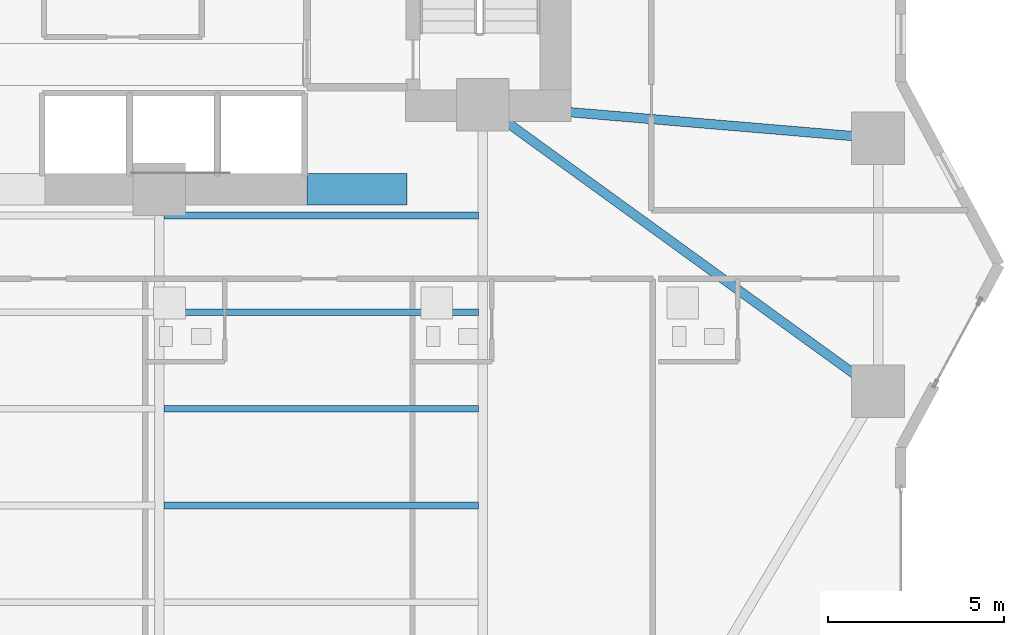
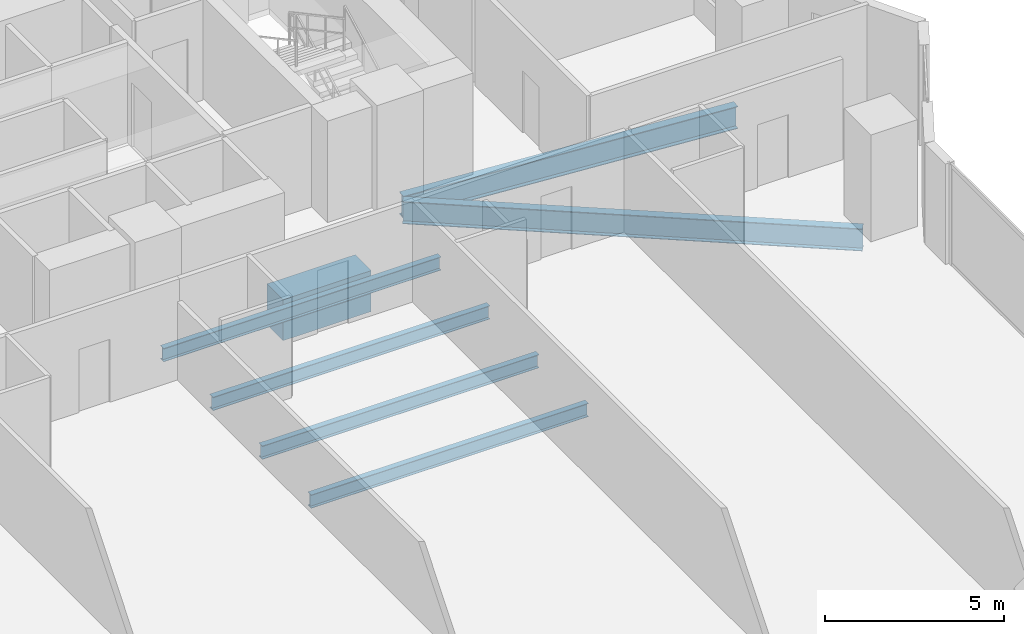
# One storey, part 11 of 28: 7 beams.
"""IFC4 building model written with IfcOpenShell, lengths in metres."""

import ifcopenshell
import ifcopenshell.guid

model = None  # the IFC model being written
_history = None  # IfcOwnerHistory: only IFC2X3 demands one
_inside = {}  # id of a spatial element -> (the spatial element, [elements in it])
_under = {}  # id of a project, library or spatial element -> (it, [spatial elements below it])
_declared = {}  # id of a project -> (the project, [libraries it declares])
_typed = {}  # id of a type object -> (the type object, [elements of that type])
_made_of = {}  # id of a material, layer set ... -> (it, [elements and type objects made of it])


def new_model(schema):
    """Start an empty IFC model of exactly this schema.

    Asked for "IFC4X3", IfcOpenShell would pick the latest addendum, in which some entities
    have other attributes; the version numbers below select the first issue.
    IFC2X3 requires an IfcOwnerHistory on every rooted entity: one is made here for all.
    """
    global model, _history
    if schema == "IFC4X3":
        model = ifcopenshell.file(schema_version=(4, 3, 0, 0))
    else:
        model = ifcopenshell.file(schema=schema)
    _inside.clear()
    _under.clear()
    _declared.clear()
    _typed.clear()
    _made_of.clear()
    _history = None
    if model.schema == "IFC2X3":
        org = make("IfcOrganization", Name="unknown")
        user = make(
            "IfcPersonAndOrganization",
            ThePerson=make("IfcPerson", FamilyName="unknown"),
            TheOrganization=org,
        )
        app = make(
            "IfcApplication",
            ApplicationDeveloper=org,
            Version="unknown",
            ApplicationFullName="unknown",
            ApplicationIdentifier="unknown",
        )
        _history = make(
            "IfcOwnerHistory",
            OwningUser=user,
            OwningApplication=app,
            ChangeAction="ADDED",
            CreationDate=0,
        )
    return model


def make(cls, **values):
    """One entity of the class cls with the attributes given. An attribute that is None is left unset."""
    return model.create_entity(
        cls, **{name: value for name, value in values.items() if value is not None}
    )


def rooted(cls, **values):
    """An entity with a GlobalId (a new one), such as an element, a storey or a relation."""
    return make(cls, GlobalId=ifcopenshell.guid.new(), OwnerHistory=_history, **values)


def si_unit(unit_type, name, prefix=None):
    """IfcSIUnit, for example si_unit("LENGTHUNIT", "METRE", prefix="MILLI")."""
    return make("IfcSIUnit", UnitType=unit_type, Prefix=prefix, Name=name)


def assignment(units):
    """IfcUnitAssignment: the units of a project."""
    return None if units is None else make("IfcUnitAssignment", Units=units)


def point(xyz):
    """IfcCartesianPoint."""
    return None if xyz is None else make("IfcCartesianPoint", Coordinates=xyz)


def direction(xyz):
    """IfcDirection."""
    return None if xyz is None else make("IfcDirection", DirectionRatios=xyz)


def frame(location, z_axis=None, x_axis=None):
    """IfcAxis2Placement3D, a coordinate frame: its origin and axes. An axis left out is left unset."""
    return make(
        "IfcAxis2Placement3D",
        Location=point(location),
        Axis=direction(z_axis),
        RefDirection=direction(x_axis),
    )


def frame_2d(location, x_axis=None):
    """IfcAxis2Placement2D, a coordinate frame in the plane: its origin and x axis."""
    return make(
        "IfcAxis2Placement2D", Location=point(location), RefDirection=direction(x_axis)
    )


def origin():
    """The frame at (0, 0, 0) with its axes left unset."""
    return frame((0.0, 0.0, 0.0))


def origin_2d():
    """The frame at (0, 0) in the plane with its x axis left unset."""
    return frame_2d((0.0, 0.0))


def place(relative_to, where):
    """IfcLocalPlacement: puts the frame where relative to a parent placement (None: the world)."""
    return make(
        "IfcLocalPlacement", PlacementRelTo=relative_to, RelativePlacement=where
    )


def context(
    kind, dimensions, precision=None, world=None, true_north=None, identifier=None
):
    """IfcGeometricRepresentationContext, for example the 3D "Model" context."""
    return make(
        "IfcGeometricRepresentationContext",
        ContextIdentifier=identifier,
        ContextType=kind,
        CoordinateSpaceDimension=dimensions,
        Precision=precision,
        WorldCoordinateSystem=world,
        TrueNorth=true_north,
    )


def subcontext(parent, identifier, kind, view, scale=None):
    """IfcGeometricRepresentationSubContext, for example "Body" below "Model"."""
    return make(
        "IfcGeometricRepresentationSubContext",
        ContextIdentifier=identifier,
        ContextType=kind,
        ParentContext=parent,
        TargetScale=scale,
        TargetView=view,
    )


def project(units=None, contexts=None):
    """IfcProject with its units and contexts."""
    return rooted(
        "IfcProject",
        Name="project",
        RepresentationContexts=contexts,
        UnitsInContext=assignment(units),
    )


def spatial(cls, under=None, at=None, **own):
    """A site, building, storey or space (cls), placed at a placement, below another one or the project."""
    s = rooted(cls, ObjectPlacement=at, **own)
    if under is not None:
        _under.setdefault(under.id(), (under, []))[1].append(s)
    return s


def profile(cls, at=None, kind="AREA", **sizes):
    """A parametric profile (cls). Its sizes go by their IFC names, for example OverallWidth=200.0."""
    return make(cls, ProfileType=kind, Position=at, **sizes)


def rectangle(**sizes):
    """IfcRectangleProfileDef."""
    return profile("IfcRectangleProfileDef", **sizes)


def i_section(**sizes):
    """IfcIShapeProfileDef."""
    return profile("IfcIShapeProfileDef", **sizes)


def extrude(swept, where, along, depth):
    """IfcExtrudedAreaSolid: the profile swept, set in the frame where, extruded along a direction by depth."""
    return make(
        "IfcExtrudedAreaSolid",
        SweptArea=swept,
        Position=where,
        ExtrudedDirection=direction(along),
        Depth=depth,
    )


def shape(context_of_items, identifier, shape_type, items):
    """IfcShapeRepresentation: the items that make up one representation, for example the "Body"."""
    return make(
        "IfcShapeRepresentation",
        ContextOfItems=context_of_items,
        RepresentationIdentifier=identifier,
        RepresentationType=shape_type,
        Items=items,
    )


def material(Name=None, Category=None):
    """IfcMaterial."""
    return make("IfcMaterial", Name=Name, Category=Category)


def material_profile(
    of_material, cross_section, Name=None, Category=None, Priority=None
):
    """IfcMaterialProfile: a cross section and its material."""
    return make(
        "IfcMaterialProfile",
        Name=Name,
        Material=of_material,
        Profile=cross_section,
        Priority=Priority,
        Category=Category,
    )


def profile_set(profiles, Name=None, composite=None):
    """IfcMaterialProfileSet."""
    return make(
        "IfcMaterialProfileSet",
        Name=Name,
        MaterialProfiles=profiles,
        CompositeProfile=composite,
    )


def made_of(thing, what):
    """Note that an element or type object is made of a material, layer set ...; save() writes the relation."""
    if what is not None:
        _made_of.setdefault(what.id(), (what, []))[1].append(thing)
    return thing


def type_object(cls, material=None, **own):
    """A type object (cls), such as IfcWallType, which elements share."""
    return made_of(rooted(cls, **own), material)


def element(
    cls,
    number,
    at=None,
    inside=None,
    cuts=None,
    type_object=None,
    material=None,
    context=None,
    identifier="Body",
    shape_type=None,
    held_by="IfcProductDefinitionShape",
    body=None,
    shapes=None,
    **own,
):
    """One element of the class cls, such as IfcWall. Its Tag is "e" and its number.

    at: its placement. inside: the storey or other place that contains it. cuts: it is an
    opening in that element (IfcRelVoidsElement). A single representation is given by context,
    identifier, shape_type and body (its items); several are given by shapes. held_by: the class
    of the entity that holds the representations. save() writes the other relations.
    """
    e = rooted(cls, Tag="e%d" % number, ObjectPlacement=at, **own)
    if body is not None:
        shapes = [shape(context, identifier, shape_type, body)]
    if shapes is not None:
        e.Representation = make(held_by, Representations=shapes)
    if inside is not None:
        _inside.setdefault(inside.id(), (inside, []))[1].append(e)
    if cuts is not None:
        rooted(
            "IfcRelVoidsElement", RelatingBuildingElement=cuts, RelatedOpeningElement=e
        )
    if type_object is not None:
        _typed.setdefault(type_object.id(), (type_object, []))[1].append(e)
    return made_of(e, material)


def aggregate(whole, parts):
    """IfcRelAggregates: a whole, such as a stair, and the parts it consists of."""
    return rooted("IfcRelAggregates", RelatingObject=whole, RelatedObjects=parts)


def save(model, path):
    """Write the relations noted so far, then the file.

    IfcRelAggregates (storeys below a building ...), IfcRelContainedInSpatialStructure (elements
    in a storey), IfcRelDefinesByType, IfcRelAssociatesMaterial and IfcRelDeclares: one each for
    every whole, place, type object, material and project.
    """
    for whole, parts in _under.values():
        aggregate(whole, parts)
    for where, things in _inside.values():
        rooted(
            "IfcRelContainedInSpatialStructure",
            RelatedElements=things,
            RelatingStructure=where,
        )
    for kind, things in _typed.values():
        rooted("IfcRelDefinesByType", RelatedObjects=things, RelatingType=kind)
    for what, things in _made_of.values():
        rooted("IfcRelAssociatesMaterial", RelatedObjects=things, RelatingMaterial=what)
    for by, libraries in _declared.values():
        rooted("IfcRelDeclares", RelatingContext=by, RelatedDefinitions=libraries)
    model.write(path)


model = new_model("IFC4")

# Units and contexts
model_context = context("Model", 3, precision=1e-05, world=origin(), true_north=direction((0.0, 1.0)))
body_context = subcontext(model_context, "Body", "Model", "MODEL_VIEW")
ifc_project = project(units=[si_unit("LENGTHUNIT", "METRE"), si_unit("AREAUNIT", "SQUARE_METRE"), si_unit("VOLUMEUNIT", "CUBIC_METRE"), si_unit("PLANEANGLEUNIT", "RADIAN"), si_unit("MASSUNIT", "GRAM", prefix="KILO")], contexts=[model_context])

# Site, building, storey
site_placement = place(None, origin())
site = spatial("IfcSite", under=ifc_project, at=site_placement, CompositionType="ELEMENT")
building_placement = place(site_placement, origin())
building = spatial("IfcBuilding", under=site, at=building_placement, Name="Zuhayl Quay Hotel", CompositionType="ELEMENT")
storey_placement = place(building_placement, frame((0.0, 0.0, 49.5)))
storey = spatial("IfcBuildingStorey", under=building, at=storey_placement, Name="L11", CompositionType="ELEMENT", Elevation=49.5)

# Beams
ifc_material_1 = material(Name="Steel ASTM A992 Grade 50", Category="steel")
ifc_material_profile_1 = material_profile(ifc_material_1, i_section(OverallWidth=0.26708984375, OverallDepth=0.761962890625, WebThickness=0.014404296875, FlangeThickness=0.021484375, at=origin_2d()), Name="W30X116")
ifc_profile_set_1 = profile_set([ifc_material_profile_1], Name="Steel ASTM A992 Grade 50")
beam_type_1 = type_object("IfcBeamType", Name="BM_B1_W30X116", PredefinedType="BEAM", material=ifc_profile_set_1)
beam_1_placement = place(storey_placement, frame((14.164306640625, 4.285888671875, -0.60107421875), z_axis=(0.809830244688, -0.586664277751, 0.0), x_axis=(0.586664277751, 0.809830244688, 0.0)))
element("IfcBeam", 1, at=beam_1_placement, inside=storey, type_object=beam_type_1, Name="L11 Floor Beam FG_E_L11_1", PredefinedType="BEAM", context=body_context, shape_type="SweptSolid", body=[
    extrude(i_section(OverallWidth=0.26708984375, OverallDepth=0.761962890625, WebThickness=0.014404296875, FlangeThickness=0.021484375, at=origin_2d()), origin(), (0.0, 0.0, 1.0), 12.94189453125),
])
beam_2_placement = place(storey_placement, frame((14.248291015625, 4.51220703125, -0.60107421875), z_axis=(0.996453145398, -0.084149444594, 0.0), x_axis=(0.084149444594, 0.996453145398, 0.0)))
element("IfcBeam", 2, at=beam_2_placement, inside=storey, type_object=beam_type_1, Name="L11 Floor Beam FG_E_L11_2", PredefinedType="BEAM", context=body_context, shape_type="SweptSolid", body=[
    extrude(i_section(OverallWidth=0.26708984375, OverallDepth=0.761962890625, WebThickness=0.014404296875, FlangeThickness=0.021484375, at=origin_2d()), origin(), (0.0, 0.0, 1.0), 10.340087890625),
])
ifc_material_2 = material(Name="Concrete C60/75", Category="concrete")
ifc_material_profile_2 = material_profile(ifc_material_2, rectangle(XDim=0.89990234375, YDim=1.39990234375, at=origin_2d()), Name="RC900X1400")
ifc_profile_set_2 = profile_set([ifc_material_profile_2], Name="Concrete C60/75")
beam_type_2 = type_object("IfcBeamType", Name="BM_CB1_RC900", PredefinedType="T_BEAM", material=ifc_profile_set_2)
beam_3_placement = place(storey_placement, frame((8.800048828125, 2.14990234375, -0.919921875), z_axis=(1.0, 0.0, 0.0), x_axis=(0.0, 1.0, 0.0)))
element("IfcBeam", 3, at=beam_3_placement, inside=storey, type_object=beam_type_2, Name="L11 Core Coupling Beam SE", PredefinedType="T_BEAM", context=body_context, shape_type="SweptSolid", body=[
    extrude(rectangle(XDim=0.89990234375, YDim=1.39990234375, at=origin_2d()), origin(), (0.0, 0.0, 1.0), 2.849853515625),
])
ifc_material_profile_3 = material_profile(ifc_material_1, i_section(OverallWidth=0.18994140625, OverallDepth=0.45703125, WebThickness=0.009033203125, FlangeThickness=0.014404296875, at=origin_2d()), Name="W18X50")
ifc_profile_set_3 = profile_set([ifc_material_profile_3], Name="Steel ASTM A992 Grade 50")
beam_type_3 = type_object("IfcBeamType", Name="BM_J2_W18X50", PredefinedType="JOIST", material=ifc_profile_set_3)
for number, where, z_axis, x_axis, name in (
    (4, (4.7255859375, -6.85009765625, -0.448486328125), (1.0, 0.0, 0.0), (0.0, 1.0, 0.0), "L11 Floor Beam FJ_L11_7_3"),
    (5, (4.7255859375, -4.10009765625, -0.448486328125), (1.0, 0.0, 0.0), (0.0, 1.0, 0.0), "L11 Floor Beam FJ_L11_8_3"),
    (6, (4.7255859375, -1.35009765625, -0.448486328125), (1.0, 0.0, 0.0), (0.0, 1.0, 0.0), "L11 Floor Beam FJ_L11_9_3"),
    (7, (4.7255859375, 1.39990234375, -0.448486328125), (1.0, 0.0, 0.0), (0.0, 1.0, 0.0), "L11 Floor Beam FJ_L11_10_3"),
):
    element("IfcBeam", number, at=place(storey_placement, frame(where, z_axis=z_axis, x_axis=x_axis)), inside=storey, type_object=beam_type_3, Name=name, PredefinedType="JOIST", context=body_context, shape_type="SweptSolid", body=[
        extrude(i_section(OverallWidth=0.18994140625, OverallDepth=0.45703125, WebThickness=0.009033203125, FlangeThickness=0.014404296875, at=origin_2d()), origin(), (0.0, 0.0, 1.0), 8.948974609375),
    ])

save(model, "model.ifc")
